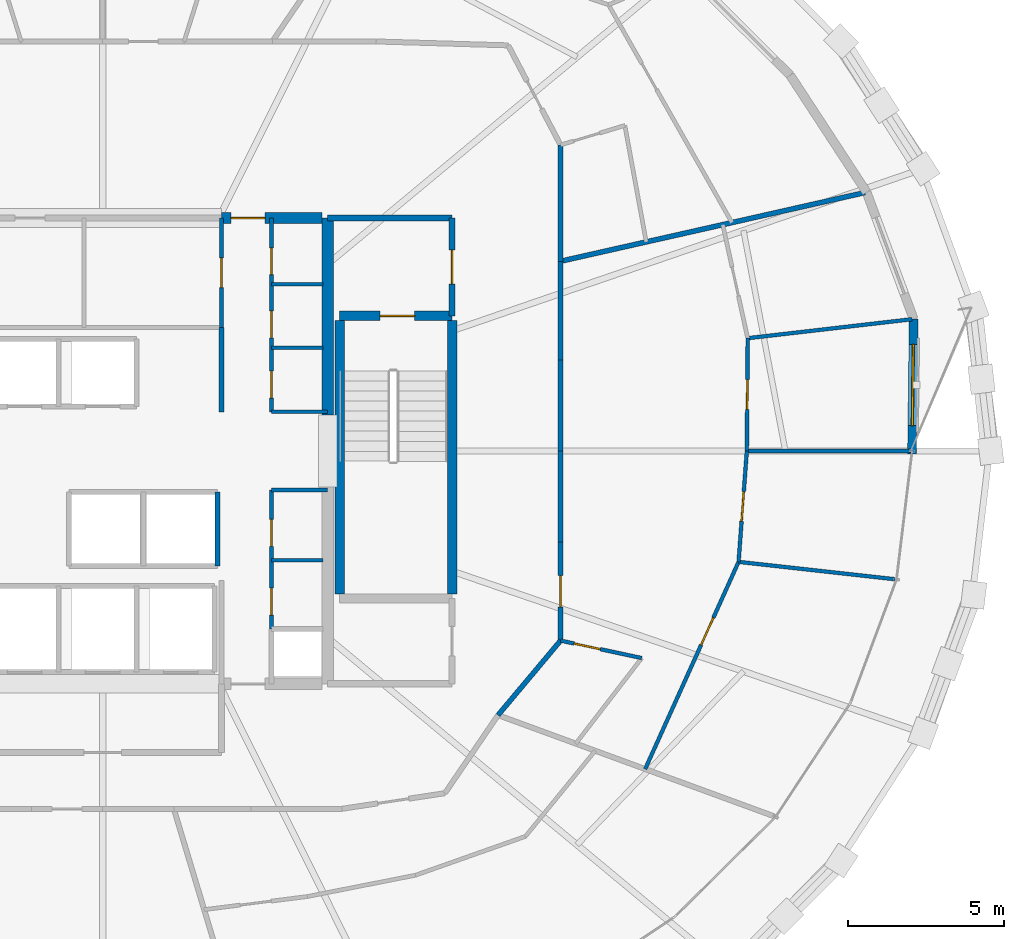
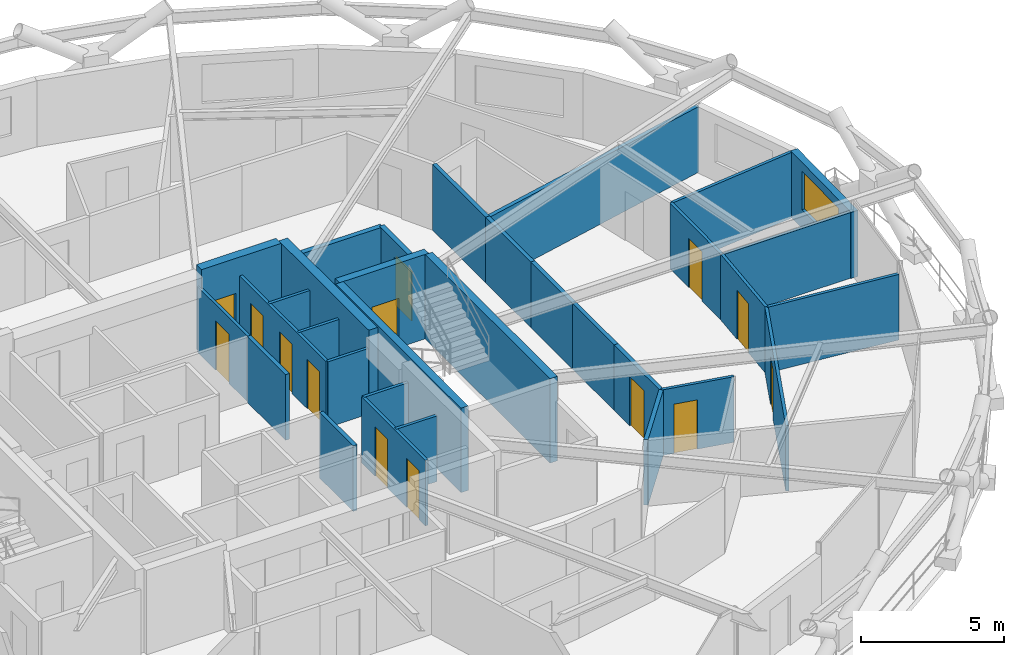
# One storey, part 16 of 21: 32 walls, 14 doors, 1 window, 15 openings.
"""IFC4 building model written with IfcOpenShell, lengths in metres."""

from ifc_helpers import new_model, si_unit, direction, frame, frame_2d, origin, place, context, subcontext, project, spatial, rectangle, extrude, material, layer, layer_set, type_object, element, fill, save


model = new_model("IFC4")

# Units and contexts
model_context = context("Model", 3, precision=1e-05, world=origin(), true_north=direction((0.0, 1.0)))
body_context = subcontext(model_context, "Body", "Model", "MODEL_VIEW")
ifc_project = project(units=[si_unit("LENGTHUNIT", "METRE"), si_unit("AREAUNIT", "SQUARE_METRE"), si_unit("VOLUMEUNIT", "CUBIC_METRE"), si_unit("PLANEANGLEUNIT", "RADIAN"), si_unit("MASSUNIT", "GRAM", prefix="KILO")], contexts=[model_context])

# Site, building, storey
site_placement = place(None, origin())
site = spatial("IfcSite", under=ifc_project, at=site_placement, CompositionType="ELEMENT")
building_placement = place(site_placement, origin())
building = spatial("IfcBuilding", under=site, at=building_placement, Name="Veldorina Hangang Commons", CompositionType="ELEMENT")
storey_placement = place(building_placement, frame((0.0, 0.0, 142.39990234375)))
storey = spatial("IfcBuildingStorey", under=building, at=storey_placement, Name="L36", CompositionType="ELEMENT", Elevation=142.39990234375)

# Wall
ifc_material_1 = material(Name="Concrete C60/75", Category="concrete")
ifc_layer_1 = layer(ifc_material_1, 0.360107421875)
ifc_layer_set_1 = layer_set([ifc_layer_1], Name="Concrete C60/75")
wall_type_1 = type_object("IfcWallType", Name="CW-RC360-C60", PredefinedType="SHEAR", material=ifc_layer_set_1)
wall_1_placement = place(storey_placement, frame((39.199951171875, 25.14990234375, 0.0), z_axis=(0.0, 0.0, 1.0), x_axis=(0.0, 1.0, 0.0)))
element("IfcWall", 1, at=wall_1_placement, inside=storey, type_object=wall_type_1, Name="L36 E north core shear wall", PredefinedType="SHEAR", context=body_context, shape_type="SweptSolid", body=[
    extrude(rectangle(XDim=6.300048828125, YDim=0.360107421875, at=frame_2d((3.14990234375, 0.0))), origin(), (0.0, 0.0, 1.0), 3.60009765625),
])

# Wall, opening, door
wall_2_placement = place(storey_placement, frame((35.800048828125, 31.449951171875, 0.0), z_axis=(0.0, 0.0, 1.0), x_axis=(1.0, 0.0, 0.0)))
wall_2 = element("IfcWall", 2, at=wall_2_placement, inside=storey, type_object=wall_type_1, Name="L36 north-east core shear wall", PredefinedType="SHEAR", context=body_context, shape_type="SweptSolid", body=[
    extrude(rectangle(XDim=3.219970703125, YDim=0.360107421875, at=frame_2d((1.60986328125, 0.0))), origin(), (0.0, 0.0, 1.0), 3.60009765625),
])
opening_1_placement = place(wall_2_placement, frame((0.300048828125, 0.0, 0.0)))
opening_1 = element("IfcOpeningElement", 3, at=opening_1_placement, cuts=wall_2, Name="Opening D-08", PredefinedType="OPENING", context=body_context, shape_type="SweptSolid", body=[
    extrude(rectangle(XDim=1.10009765625, YDim=2.10009765625, at=frame_2d((0.550048828125, 1.050048828125))), frame((0.0, 0.18994140625, 0.0), z_axis=(0.0, -1.0, 0.0), x_axis=(1.0, 0.0, 0.0)), (0.0, 0.0, 1.0), 0.380126953125),
])
ifc_material_2 = material(Name="Steel Fire-Rated Smoke Seal", Category="steel")
door_type_1 = type_object("IfcDoorType", Name="DR-FIRE-1100", OperationType="SINGLE_SWING_RIGHT", PredefinedType="DOOR", material=ifc_material_2)
door_1_placement = place(opening_1_placement, origin())
door_1 = element("IfcDoor", 4, at=door_1_placement, inside=storey, type_object=door_type_1, Name="L36 central lift lobby north corridor door", OperationType="SINGLE_SWING_LEFT", OverallHeight=2.10009765625, OverallWidth=1.10009765625, PredefinedType="DOOR", context=body_context, shape_type="SweptSolid", body=[
    extrude(rectangle(XDim=1.10009765625, YDim=2.10009765625, at=frame_2d((0.550048828125, 1.050048828125))), frame((0.0, 0.02490234375, 0.0), z_axis=(0.0, -1.0, 0.0), x_axis=(1.0, 0.0, 0.0)), (0.0, 0.0, 1.0), 0.050048828125),
])
fill(opening_1, door_1)

# Wall, opening, window
ifc_material_3 = material(Name="Stone Roman Travertine", Category="masonry")
ifc_layer_2 = layer(ifc_material_3, 0.280029296875)
ifc_layer_set_2 = layer_set([ifc_layer_2], Name="Stone Roman Travertine")
wall_type_2 = type_object("IfcWallType", Name="EW-TRAV-280", PredefinedType="STANDARD", material=ifc_layer_set_2)
wall_3_placement = place(storey_placement, frame((57.8935546875, 23.907958984375, 0.0), z_axis=(0.0, 0.0, 1.0), x_axis=(0.012228731111, 0.999925226272, 0.0)))
wall_3 = element("IfcWall", 5, at=wall_3_placement, inside=storey, type_object=wall_type_2, Name="L36 travertine facade wall 00", PredefinedType="STANDARD", context=body_context, shape_type="SweptSolid", body=[
    extrude(rectangle(XDim=4.312255859375, YDim=0.280029296875, at=frame_2d((2.15625, 0.0))), origin(), (0.0, 0.0, 1.0), 2.820068359375),
])
opening_2_placement = place(wall_3_placement, frame((0.902099609375, 0.0, 0.800048828125)))
opening_2 = element("IfcOpeningElement", 6, at=opening_2_placement, cuts=wall_3, Name="Opening W-02", PredefinedType="OPENING", context=body_context, shape_type="SweptSolid", body=[
    extrude(rectangle(XDim=2.60009765625, YDim=1.64990234375, at=frame_2d((1.300048828125, 0.824951171875))), frame((0.0, 0.14990234375, 0.0), z_axis=(0.0, -1.0, 0.0), x_axis=(1.0, 0.0, 0.0)), (0.0, 0.0, 1.0), 0.300048828125),
])
ifc_material_4 = material(Name="Glass Low-E Triple IGU", Category="glass")
window_type = type_object("IfcWindowType", Name="WIN-TWR-2600", PartitioningType="SINGLE_PANEL", PredefinedType="WINDOW", material=ifc_material_4)
window_placement = place(opening_2_placement, origin())
window = element("IfcWindow", 7, at=window_placement, inside=storey, type_object=window_type, Name="L36 facade window 00", OverallHeight=1.64990234375, OverallWidth=2.60009765625, PartitioningType="SINGLE_PANEL", PredefinedType="WINDOW", context=body_context, shape_type="SweptSolid", body=[
    extrude(rectangle(XDim=2.60009765625, YDim=1.64990234375, at=frame_2d((1.300048828125, 0.824951171875))), frame((0.0, 0.030029296875, 0.0), z_axis=(0.0, -1.0, 0.0), x_axis=(1.0, 0.0, 0.0)), (0.0, 0.0, 1.0), 0.06005859375),
])
fill(opening_2, window)

# Walls
ifc_material_5 = material(Name="Concrete C50/60", Category="concrete")
ifc_layer_3 = layer(ifc_material_5, 0.300048828125)
ifc_layer_set_3 = layer_set([ifc_layer_3], Name="Concrete C50/60")
wall_type_3 = type_object("IfcWallType", Name="SW-STAIR-300", PredefinedType="SHEAR", material=ifc_layer_set_3)
for number, where, z_axis, x_axis, name in (
    (8, (43.179931640625, 19.429931640625, 0.0), (0.0, 0.0, 1.0), (0.0, 1.0, 0.0), "L36 ST2 outer stair shear wall"),
    (9, (39.580078125, 19.429931640625, 0.0), (0.0, 0.0, 1.0), (0.0, 1.0, 0.0), "L36 ST2 inner stair shear wall"),
):
    element("IfcWall", number, at=place(storey_placement, frame(where, z_axis=z_axis, x_axis=x_axis)), inside=storey, type_object=wall_type_3, Name=name, PredefinedType="SHEAR", context=body_context, shape_type="SweptSolid", body=[
        extrude(rectangle(XDim=8.739990234375, YDim=0.300048828125, at=frame_2d((4.3701171875, 0.0))), origin(), (0.0, 0.0, 1.0), 3.60009765625),
    ])

# Wall, opening, door
wall_4_placement = place(storey_placement, frame((39.580078125, 28.320068359375, 0.0), z_axis=(0.0, 0.0, 1.0), x_axis=(1.0, 0.0, 0.0)))
wall_4 = element("IfcWall", 10, at=wall_4_placement, inside=storey, type_object=wall_type_3, Name="L36 ST2 north stair shear wall", PredefinedType="SHEAR", context=body_context, shape_type="SweptSolid", body=[
    extrude(rectangle(XDim=3.599853515625, YDim=0.300048828125, at=frame_2d((1.7998046875, 0.0))), origin(), (0.0, 0.0, 1.0), 3.60009765625),
])
opening_3_placement = place(wall_4_placement, frame((1.300048828125, 0.0, 0.0)))
opening_3 = element("IfcOpeningElement", 11, at=opening_3_placement, cuts=wall_4, Name="Opening D-08", PredefinedType="OPENING", context=body_context, shape_type="SweptSolid", body=[
    extrude(rectangle(XDim=1.10009765625, YDim=2.10009765625, at=frame_2d((0.550048828125, 1.050048828125))), frame((0.0, 0.16015625, 0.0), z_axis=(0.0, -1.0, 0.0), x_axis=(1.0, 0.0, 0.0)), (0.0, 0.0, 1.0), 0.320068359375),
])
door_2_placement = place(opening_3_placement, origin())
door_2 = element("IfcDoor", 12, at=door_2_placement, inside=storey, type_object=door_type_1, Name="L36 Special Escape Stair ST-2 door", OperationType="SINGLE_SWING_RIGHT", OverallHeight=2.10009765625, OverallWidth=1.10009765625, PredefinedType="DOOR", context=body_context, shape_type="SweptSolid", body=[
    extrude(rectangle(XDim=1.10009765625, YDim=2.10009765625, at=frame_2d((0.550048828125, 1.050048828125))), frame((0.0, 0.02490234375, 0.0), z_axis=(0.0, -1.0, 0.0), x_axis=(1.0, 0.0, 0.0)), (0.0, 0.0, 1.0), 0.050048828125),
])
fill(opening_3, door_2)

# Walls
ifc_material_6 = material(Name="Gypsum Fire-Rated Twin Stud Wall", Category="gypsum")
ifc_layer_4 = layer(ifc_material_6, 0.159912109375)
ifc_layer_set_4 = layer_set([ifc_layer_4], Name="Gypsum Fire-Rated Twin Stud Wall")
wall_type_4 = type_object("IfcWallType", Name="WL-FIRE-160", PredefinedType="SOLIDWALL", material=ifc_layer_set_4)
wall_5_placement = place(storey_placement, frame((35.800048828125, 25.25, 0.0), z_axis=(0.0, 0.0, 1.0), x_axis=(0.0, 1.0, 0.0)))
element("IfcWall", 13, at=wall_5_placement, inside=storey, type_object=wall_type_4, Name="L36 Lift passage NW lower wall 011", PredefinedType="SOLIDWALL", context=body_context, shape_type="SweptSolid", body=[
    extrude(rectangle(XDim=2.699951171875, YDim=0.159912109375, at=frame_2d((1.35009765625, 0.0))), origin(), (0.0, 0.0, 1.0), 2.800048828125),
])
wall_6_placement = place(storey_placement, frame((35.679931640625, 20.320068359375, 0.0), z_axis=(0.0, 0.0, 1.0), x_axis=(0.0, 1.0, 0.0)))
element("IfcWall", 14, at=wall_6_placement, inside=storey, type_object=wall_type_4, Name="L36 SL-2 east shaft wall 024", PredefinedType="SOLIDWALL", context=body_context, shape_type="SweptSolid", body=[
    extrude(rectangle(XDim=2.35986328125, YDim=0.159912109375, at=frame_2d((1.179931640625, 0.0))), origin(), (0.0, 0.0, 1.0), 2.800048828125),
])
wall_7_placement = place(storey_placement, frame((46.64990234375, 24.0, 0.0), z_axis=(0.0, 0.0, 1.0), x_axis=(0.0, 1.0, 0.0)))
element("IfcWall", 15, at=wall_7_placement, inside=storey, type_object=wall_type_4, Name="L36 U-corridor outer wall 00 050", PredefinedType="SOLIDWALL", context=body_context, shape_type="SweptSolid", body=[
    extrude(rectangle(XDim=2.9140625, YDim=0.159912109375, at=frame_2d((1.45703125, 0.0))), origin(), (0.0, 0.0, 1.0), 2.800048828125),
])
wall_8_placement = place(storey_placement, frame((46.64990234375, 26.9140625, 0.0), z_axis=(0.0, 0.0, 1.0), x_axis=(0.0, 1.0, 0.0)))
element("IfcWall", 16, at=wall_8_placement, inside=storey, type_object=wall_type_4, Name="L36 U-corridor outer wall 01 051", PredefinedType="SOLIDWALL", context=body_context, shape_type="SweptSolid", body=[
    extrude(rectangle(XDim=3.154052734375, YDim=0.159912109375, at=frame_2d((1.5771484375, 0.0))), origin(), (0.0, 0.0, 1.0), 2.800048828125),
])
wall_9_placement = place(storey_placement, frame((46.64990234375, 30.068115234375, 0.0), z_axis=(0.0, 0.0, 1.0), x_axis=(0.0, 1.0, 0.0)))
element("IfcWall", 17, at=wall_9_placement, inside=storey, type_object=wall_type_4, Name="L36 U-corridor outer wall 02 052", PredefinedType="SOLIDWALL", context=body_context, shape_type="SweptSolid", body=[
    extrude(rectangle(XDim=3.720703125, YDim=0.159912109375, at=frame_2d((1.8603515625, 0.0))), origin(), (0.0, 0.0, 1.0), 2.800048828125),
])
wall_10_placement = place(storey_placement, frame((44.64990234375, 15.547607421875, 0.0), z_axis=(0.0, 0.0, 1.0), x_axis=(0.642665742791, 0.76614668507, 0.0)))
element("IfcWall", 18, at=wall_10_placement, inside=storey, type_object=wall_type_4, Name="L36 U-corridor outer wall 29 079", PredefinedType="SOLIDWALL", context=body_context, shape_type="SweptSolid", body=[
    extrude(rectangle(XDim=3.112060546875, YDim=0.159912109375, at=frame_2d((1.55615234375, 0.0))), origin(), (0.0, 0.0, 1.0), 2.800048828125),
])

# Wall, opening, door
wall_11_placement = place(storey_placement, frame((46.64990234375, 17.931884765625, 0.0), z_axis=(0.0, 0.0, 1.0), x_axis=(0.0, 1.0, 0.0)))
wall_11 = element("IfcWall", 19, at=wall_11_placement, inside=storey, type_object=wall_type_4, Name="L36 U-corridor outer wall 30 080", PredefinedType="SOLIDWALL", context=body_context, shape_type="SweptSolid", body=[
    extrude(rectangle(XDim=3.154052734375, YDim=0.159912109375, at=frame_2d((1.5771484375, 0.0))), origin(), (0.0, 0.0, 1.0), 2.800048828125),
])
opening_4_placement = place(wall_11_placement, frame((1.0771484375, 0.0, 0.0)))
opening_4 = element("IfcOpeningElement", 20, at=opening_4_placement, cuts=wall_11, Name="Opening D-06", PredefinedType="OPENING", context=body_context, shape_type="SweptSolid", body=[
    extrude(rectangle(XDim=1.0, YDim=2.10009765625, at=frame_2d((0.5, 1.050048828125))), frame((0.0, 0.08984375, 0.0), z_axis=(0.0, -1.0, 0.0), x_axis=(1.0, 0.0, 0.0)), (0.0, 0.0, 1.0), 0.179931640625),
])
ifc_material_7 = material(Name="Timber Fire-Rated Entrance Core", Category="wood")
door_type_2 = type_object("IfcDoorType", Name="DR-UNIT-1000", OperationType="SINGLE_SWING_LEFT", PredefinedType="DOOR", material=ifc_material_7)
door_3_placement = place(opening_4_placement, origin())
door_3 = element("IfcDoor", 21, at=door_3_placement, inside=storey, type_object=door_type_2, Name="L36 Cluster 2 entrance door 025", OperationType="SINGLE_SWING_LEFT", OverallHeight=2.10009765625, OverallWidth=1.0, PredefinedType="DOOR", context=body_context, shape_type="SweptSolid", body=[
    extrude(rectangle(XDim=1.0, YDim=2.10009765625, at=frame_2d((0.5, 1.050048828125))), frame((0.0, 0.02490234375, 0.0), z_axis=(0.0, -1.0, 0.0), x_axis=(1.0, 0.0, 0.0)), (0.0, 0.0, 1.0), 0.050048828125),
])
fill(opening_4, door_3)

# Walls
wall_12_placement = place(storey_placement, frame((46.64990234375, 21.0859375, 0.0), z_axis=(0.0, 0.0, 1.0), x_axis=(0.0, 1.0, 0.0)))
element("IfcWall", 22, at=wall_12_placement, inside=storey, type_object=wall_type_4, Name="L36 U-corridor outer wall 31 081", PredefinedType="SOLIDWALL", context=body_context, shape_type="SweptSolid", body=[
    extrude(rectangle(XDim=2.9140625, YDim=0.159912109375, at=frame_2d((1.45703125, 0.0))), origin(), (0.0, 0.0, 1.0), 2.800048828125),
])
wall_13_placement = place(storey_placement, frame((46.64990234375, 30.068115234375, 0.0), z_axis=(0.0, 0.0, 1.0), x_axis=(0.97547030374, 0.220131066689, 0.0)))
element("IfcWall", 23, at=wall_13_placement, inside=storey, type_object=wall_type_4, Name="L36 Unit party wall 02 097", PredefinedType="SOLIDWALL", context=body_context, shape_type="SweptSolid", body=[
    extrude(rectangle(XDim=9.987060546875, YDim=0.159912109375, at=frame_2d((4.99365234375, 0.0))), origin(), (0.0, 0.0, 1.0), 2.800048828125),
])

# Wall, opening, door
ifc_material_8 = material(Name="Concrete Blockwork Fire Wall C30/37", Category="masonry")
ifc_layer_5 = layer(ifc_material_8, 0.199951171875)
ifc_layer_set_5 = layer_set([ifc_layer_5], Name="Concrete Blockwork Fire Wall C30/37")
wall_type_5 = type_object("IfcWallType", Name="WL-FIRE-200", PredefinedType="SOLIDWALL", material=ifc_layer_set_5)
wall_14_placement = place(storey_placement, frame((43.179931640625, 28.320068359375, 0.0), z_axis=(0.0, 0.0, 1.0), x_axis=(0.0, 1.0, 0.0)))
wall_14 = element("IfcWall", 24, at=wall_14_placement, inside=storey, type_object=wall_type_5, Name="L36 East vestibule outer wall 003", PredefinedType="SOLIDWALL", context=body_context, shape_type="SweptSolid", body=[
    extrude(rectangle(XDim=3.1298828125, YDim=0.199951171875, at=frame_2d((1.56494140625, 0.0))), origin(), (0.0, 0.0, 1.0), 2.800048828125),
])
opening_5_placement = place(wall_14_placement, frame((1.014892578125, 0.0, 0.0)))
opening_5 = element("IfcOpeningElement", 25, at=opening_5_placement, cuts=wall_14, Name="Opening D-08", PredefinedType="OPENING", context=body_context, shape_type="SweptSolid", body=[
    extrude(rectangle(XDim=1.10009765625, YDim=2.10009765625, at=frame_2d((0.550048828125, 1.050048828125))), frame((0.0, 0.10986328125, 0.0), z_axis=(0.0, -1.0, 0.0), x_axis=(1.0, 0.0, 0.0)), (0.0, 0.0, 1.0), 0.219970703125),
])
door_4_placement = place(opening_5_placement, origin())
door_4 = element("IfcDoor", 26, at=door_4_placement, inside=storey, type_object=door_type_1, Name="L36 East vestibule east door 002", OperationType="SINGLE_SWING_RIGHT", OverallHeight=2.10009765625, OverallWidth=1.10009765625, PredefinedType="DOOR", context=body_context, shape_type="SweptSolid", body=[
    extrude(rectangle(XDim=1.10009765625, YDim=2.10009765625, at=frame_2d((0.550048828125, 1.050048828125))), frame((0.0, 0.02490234375, 0.0), z_axis=(0.0, -1.0, 0.0), x_axis=(1.0, 0.0, 0.0)), (0.0, 0.0, 1.0), 0.050048828125),
])
fill(opening_5, door_4)

# Wall
wall_15_placement = place(storey_placement, frame((39.199951171875, 31.449951171875, 0.0), z_axis=(0.0, 0.0, 1.0), x_axis=(1.0, 0.0, 0.0)))
element("IfcWall", 27, at=wall_15_placement, inside=storey, type_object=wall_type_5, Name="L36 East vestibule north wall 004", PredefinedType="SOLIDWALL", context=body_context, shape_type="SweptSolid", body=[
    extrude(rectangle(XDim=3.97998046875, YDim=0.199951171875, at=frame_2d((1.989990234375, 0.0))), origin(), (0.0, 0.0, 1.0), 2.800048828125),
])

# Wall, opening, door
ifc_material_9 = material(Name="Gypsum Acoustic Stud Partition", Category="gypsum")
ifc_layer_6 = layer(ifc_material_9, 0.1201171875)
ifc_layer_set_6 = layer_set([ifc_layer_6], Name="Gypsum Acoustic Stud Partition")
wall_type_6 = type_object("IfcWallType", Name="WL-PART-120", PredefinedType="PARTITIONING", material=ifc_layer_set_6)
wall_16_placement = place(storey_placement, frame((35.800048828125, 27.949951171875, 0.0), z_axis=(0.0, 0.0, 1.0), x_axis=(0.0, 1.0, 0.0)))
wall_16 = element("IfcWall", 28, at=wall_16_placement, inside=storey, type_object=wall_type_6, Name="L36 Merged north east wall 033", PredefinedType="PARTITIONING", context=body_context, shape_type="SweptSolid", body=[
    extrude(rectangle(XDim=3.5, YDim=0.1201171875, at=frame_2d((1.75, 0.0))), origin(), (0.0, 0.0, 1.0), 2.800048828125),
])
opening_6_placement = place(wall_16_placement, frame((1.27490234375, 0.0, 0.0)))
opening_6 = element("IfcOpeningElement", 29, at=opening_6_placement, cuts=wall_16, Name="Opening D-02", PredefinedType="OPENING", context=body_context, shape_type="SweptSolid", body=[
    extrude(rectangle(XDim=0.949951171875, YDim=2.10009765625, at=frame_2d((0.47509765625, 1.050048828125))), frame((0.0, 0.070068359375, 0.0), z_axis=(0.0, -1.0, 0.0), x_axis=(1.0, 0.0, 0.0)), (0.0, 0.0, 1.0), 0.14013671875),
])
ifc_material_10 = material(Name="Timber Solid Core Acoustic", Category="wood")
door_type_3 = type_object("IfcDoorType", Name="DR-INT-950", OperationType="SINGLE_SWING_LEFT", PredefinedType="DOOR", material=ifc_material_10)
door_5_placement = place(opening_6_placement, origin())
door_5 = element("IfcDoor", 30, at=door_5_placement, inside=storey, type_object=door_type_3, Name="L36 Core linen store door 012", OperationType="SINGLE_SWING_RIGHT", OverallHeight=2.10009765625, OverallWidth=0.949951171875, PredefinedType="DOOR", context=body_context, shape_type="SweptSolid", body=[
    extrude(rectangle(XDim=0.949951171875, YDim=2.10009765625, at=frame_2d((0.47509765625, 1.050048828125))), frame((0.0, 0.02490234375, 0.0), z_axis=(0.0, -1.0, 0.0), x_axis=(1.0, 0.0, 0.0)), (0.0, 0.0, 1.0), 0.050048828125),
])
fill(opening_6, door_5)

# Wall, openings, doors
wall_17_placement = place(storey_placement, frame((37.39990234375, 25.25, 0.0), z_axis=(0.0, 0.0, 1.0), x_axis=(0.0, 1.0, 0.0)))
wall_17 = element("IfcWall", 31, at=wall_17_placement, inside=storey, type_object=wall_type_6, Name="L36 NE strip lobby wall 041", PredefinedType="PARTITIONING", context=body_context, shape_type="SweptSolid", body=[
    extrude(rectangle(XDim=6.199951171875, YDim=0.1201171875, at=frame_2d((3.10009765625, 0.0))), origin(), (0.0, 0.0, 1.0), 2.800048828125),
])
opening_7_placement = place(wall_17_placement, frame((0.43994140625, 0.0, 0.0)))
opening_7 = element("IfcOpeningElement", 32, at=opening_7_placement, cuts=wall_17, Name="Opening D-01", PredefinedType="OPENING", context=body_context, shape_type="SweptSolid", body=[
    extrude(rectangle(XDim=0.860107421875, YDim=2.10009765625, at=frame_2d((0.43017578125, 1.050048828125))), frame((0.0, 0.070068359375, 0.0), z_axis=(0.0, -1.0, 0.0), x_axis=(1.0, 0.0, 0.0)), (0.0, 0.0, 1.0), 0.14013671875),
])
opening_8_placement = place(wall_17_placement, frame((2.3701171875, 0.0, 0.0)))
opening_8 = element("IfcOpeningElement", 33, at=opening_8_placement, cuts=wall_17, Name="Opening D-01", PredefinedType="OPENING", context=body_context, shape_type="SweptSolid", body=[
    extrude(rectangle(XDim=0.860107421875, YDim=2.10009765625, at=frame_2d((0.43017578125, 1.050048828125))), frame((0.0, 0.070068359375, 0.0), z_axis=(0.0, -1.0, 0.0), x_axis=(1.0, 0.0, 0.0)), (0.0, 0.0, 1.0), 0.14013671875),
])
opening_9_placement = place(wall_17_placement, frame((4.389892578125, 0.0, 0.0)))
opening_9 = element("IfcOpeningElement", 34, at=opening_9_placement, cuts=wall_17, Name="Opening D-01", PredefinedType="OPENING", context=body_context, shape_type="SweptSolid", body=[
    extrude(rectangle(XDim=0.860107421875, YDim=2.10009765625, at=frame_2d((0.43017578125, 1.050048828125))), frame((0.0, 0.070068359375, 0.0), z_axis=(0.0, -1.0, 0.0), x_axis=(1.0, 0.0, 0.0)), (0.0, 0.0, 1.0), 0.14013671875),
])
ifc_material_11 = material(Name="Timber Moisture-Resistant Core", Category="wood")
door_type_4 = type_object("IfcDoorType", Name="DR-WET-860", OperationType="SINGLE_SWING_LEFT", PredefinedType="DOOR", material=ifc_material_11)
door_6_placement = place(opening_7_placement, origin())
door_6 = element("IfcDoor", 35, at=door_6_placement, inside=storey, type_object=door_type_4, Name="L36 Fiber Riser Closet door 017", OperationType="SINGLE_SWING_LEFT", OverallHeight=2.10009765625, OverallWidth=0.860107421875, PredefinedType="DOOR", context=body_context, shape_type="SweptSolid", body=[
    extrude(rectangle(XDim=0.860107421875, YDim=2.10009765625, at=frame_2d((0.43017578125, 1.050048828125))), frame((0.0, 0.02490234375, 0.0), z_axis=(0.0, -1.0, 0.0), x_axis=(1.0, 0.0, 0.0)), (0.0, 0.0, 1.0), 0.050048828125),
])
fill(opening_7, door_6)
door_7_placement = place(opening_8_placement, origin())
door_7 = element("IfcDoor", 36, at=door_7_placement, inside=storey, type_object=door_type_4, Name="L36 AV Rack Closet door 018", OperationType="SINGLE_SWING_RIGHT", OverallHeight=2.10009765625, OverallWidth=0.860107421875, PredefinedType="DOOR", context=body_context, shape_type="SweptSolid", body=[
    extrude(rectangle(XDim=0.860107421875, YDim=2.10009765625, at=frame_2d((0.43017578125, 1.050048828125))), frame((0.0, 0.02490234375, 0.0), z_axis=(0.0, -1.0, 0.0), x_axis=(1.0, 0.0, 0.0)), (0.0, 0.0, 1.0), 0.050048828125),
])
fill(opening_8, door_7)
door_8_placement = place(opening_9_placement, origin())
door_8 = element("IfcDoor", 37, at=door_8_placement, inside=storey, type_object=door_type_4, Name="L36 Supply Closet door 019", OperationType="SINGLE_SWING_LEFT", OverallHeight=2.10009765625, OverallWidth=0.860107421875, PredefinedType="DOOR", context=body_context, shape_type="SweptSolid", body=[
    extrude(rectangle(XDim=0.860107421875, YDim=2.10009765625, at=frame_2d((0.43017578125, 1.050048828125))), frame((0.0, 0.02490234375, 0.0), z_axis=(0.0, -1.0, 0.0), x_axis=(1.0, 0.0, 0.0)), (0.0, 0.0, 1.0), 0.050048828125),
])
fill(opening_9, door_8)

# Wall
wall_18_placement = place(storey_placement, frame((37.39990234375, 25.25, 0.0), z_axis=(0.0, 0.0, 1.0), x_axis=(1.0, 0.0, 0.0)))
element("IfcWall", 38, at=wall_18_placement, inside=storey, type_object=wall_type_6, Name="L36 NE strip south return wall 042", PredefinedType="PARTITIONING", context=body_context, shape_type="SweptSolid", body=[
    extrude(rectangle(XDim=1.800048828125, YDim=0.1201171875, at=frame_2d((0.89990234375, 0.0))), origin(), (0.0, 0.0, 1.0), 2.800048828125),
])

# Wall, openings, doors
wall_19_placement = place(storey_placement, frame((37.39990234375, 18.300048828125, 0.0), z_axis=(0.0, 0.0, 1.0), x_axis=(0.0, 1.0, 0.0)))
wall_19 = element("IfcWall", 39, at=wall_19_placement, inside=storey, type_object=wall_type_6, Name="L36 SE strip lobby wall 043", PredefinedType="PARTITIONING", context=body_context, shape_type="SweptSolid", body=[
    extrude(rectangle(XDim=4.449951171875, YDim=0.1201171875, at=frame_2d((2.22509765625, 0.0))), origin(), (0.0, 0.0, 1.0), 2.800048828125),
])
opening_10_placement = place(wall_19_placement, frame((0.449951171875, 0.0, 0.0)))
opening_10 = element("IfcOpeningElement", 40, at=opening_10_placement, cuts=wall_19, Name="Opening D-01", PredefinedType="OPENING", context=body_context, shape_type="SweptSolid", body=[
    extrude(rectangle(XDim=0.860107421875, YDim=2.10009765625, at=frame_2d((0.43017578125, 1.050048828125))), frame((0.0, 0.070068359375, 0.0), z_axis=(0.0, -1.0, 0.0), x_axis=(1.0, 0.0, 0.0)), (0.0, 0.0, 1.0), 0.14013671875),
])
opening_11_placement = place(wall_19_placement, frame((2.64990234375, 0.0, 0.0)))
opening_11 = element("IfcOpeningElement", 41, at=opening_11_placement, cuts=wall_19, Name="Opening D-01", PredefinedType="OPENING", context=body_context, shape_type="SweptSolid", body=[
    extrude(rectangle(XDim=0.860107421875, YDim=2.10009765625, at=frame_2d((0.43017578125, 1.050048828125))), frame((0.0, 0.070068359375, 0.0), z_axis=(0.0, -1.0, 0.0), x_axis=(1.0, 0.0, 0.0)), (0.0, 0.0, 1.0), 0.14013671875),
])
door_9_placement = place(opening_10_placement, origin())
door_9 = element("IfcDoor", 42, at=door_9_placement, inside=storey, type_object=door_type_4, Name="L36 Janitor sink door 020", OperationType="SINGLE_SWING_RIGHT", OverallHeight=2.10009765625, OverallWidth=0.860107421875, PredefinedType="DOOR", context=body_context, shape_type="SweptSolid", body=[
    extrude(rectangle(XDim=0.860107421875, YDim=2.10009765625, at=frame_2d((0.43017578125, 1.050048828125))), frame((0.0, 0.02490234375, 0.0), z_axis=(0.0, -1.0, 0.0), x_axis=(1.0, 0.0, 0.0)), (0.0, 0.0, 1.0), 0.050048828125),
])
fill(opening_10, door_9)
door_10_placement = place(opening_11_placement, origin())
door_10 = element("IfcDoor", 43, at=door_10_placement, inside=storey, type_object=door_type_4, Name="L36 Fire panel door 021", OperationType="SINGLE_SWING_LEFT", OverallHeight=2.10009765625, OverallWidth=0.860107421875, PredefinedType="DOOR", context=body_context, shape_type="SweptSolid", body=[
    extrude(rectangle(XDim=0.860107421875, YDim=2.10009765625, at=frame_2d((0.43017578125, 1.050048828125))), frame((0.0, 0.02490234375, 0.0), z_axis=(0.0, -1.0, 0.0), x_axis=(1.0, 0.0, 0.0)), (0.0, 0.0, 1.0), 0.050048828125),
])
fill(opening_11, door_10)

# Walls
wall_20_placement = place(storey_placement, frame((37.39990234375, 22.75, 0.0), z_axis=(0.0, 0.0, 1.0), x_axis=(1.0, 0.0, 0.0)))
element("IfcWall", 44, at=wall_20_placement, inside=storey, type_object=wall_type_6, Name="L36 SE strip north return wall 044", PredefinedType="PARTITIONING", context=body_context, shape_type="SweptSolid", body=[
    extrude(rectangle(XDim=1.800048828125, YDim=0.1201171875, at=frame_2d((0.89990234375, 0.0))), origin(), (0.0, 0.0, 1.0), 2.800048828125),
])
for number, where, z_axis, x_axis, name in (
    (45, (37.39990234375, 27.300048828125, 0.0), (0.0, 0.0, 1.0), (1.0, 0.0, 0.0), "L36 NE split 1 047"),
    (46, (37.39990234375, 29.330078125, 0.0), (0.0, 0.0, 1.0), (1.0, 0.0, 0.0), "L36 NE split 2 048"),
    (47, (37.39990234375, 20.5, 0.0), (0.0, 0.0, 1.0), (1.0, 0.0, 0.0), "L36 SE horizontal split 049"),
):
    element("IfcWall", number, at=place(storey_placement, frame(where, z_axis=z_axis, x_axis=x_axis)), inside=storey, type_object=wall_type_6, Name=name, PredefinedType="PARTITIONING", context=body_context, shape_type="SweptSolid", body=[
        extrude(rectangle(XDim=1.650146484375, YDim=0.1201171875, at=frame_2d((0.8251953125, 0.0))), origin(), (0.0, 0.0, 1.0), 2.800048828125),
    ])

# Wall, opening, door
wall_21_placement = place(storey_placement, frame((46.64990234375, 17.931884765625, 0.0), z_axis=(0.0, 0.0, 1.0), x_axis=(0.977635307492, -0.210307407253, 0.0)))
wall_21 = element("IfcWall", 48, at=wall_21_placement, inside=storey, type_object=wall_type_6, Name="L36 Cluster 2 bath side wall 089", PredefinedType="PARTITIONING", context=body_context, shape_type="SweptSolid", body=[
    extrude(rectangle(XDim=2.656005859375, YDim=0.1201171875, at=frame_2d((1.328125, 0.0))), origin(), (0.0, 0.0, 1.0), 2.800048828125),
])
opening_12_placement = place(wall_21_placement, frame((0.43994140625, 0.0, 0.0)))
opening_12 = element("IfcOpeningElement", 49, at=opening_12_placement, cuts=wall_21, Name="Opening D-01", PredefinedType="OPENING", context=body_context, shape_type="SweptSolid", body=[
    extrude(rectangle(XDim=0.860107421875, YDim=2.10009765625, at=frame_2d((0.43017578125, 1.050048828125))), frame((0.0, 0.070068359375, 0.0), z_axis=(0.0, -1.0, 0.0), x_axis=(1.0, 0.0, 0.0)), (0.0, 0.0, 1.0), 0.14013671875),
])
door_11_placement = place(opening_12_placement, origin())
door_11 = element("IfcDoor", 50, at=door_11_placement, inside=storey, type_object=door_type_4, Name="L36 Cluster 2 shared bathroom door 024", OperationType="SINGLE_SWING_RIGHT", OverallHeight=2.10009765625, OverallWidth=0.860107421875, PredefinedType="DOOR", context=body_context, shape_type="SweptSolid", body=[
    extrude(rectangle(XDim=0.860107421875, YDim=2.10009765625, at=frame_2d((0.43017578125, 1.050048828125))), frame((0.0, 0.02490234375, 0.0), z_axis=(0.0, -1.0, 0.0), x_axis=(1.0, 0.0, 0.0)), (0.0, 0.0, 1.0), 0.050048828125),
])
fill(opening_12, door_11)

wall_22_placement = place(storey_placement, frame((49.356689453125, 13.822998046875, 0.0), z_axis=(0.0, 0.0, 1.0), x_axis=(0.411079306234, 0.911599585337, 0.0)))
wall_22 = element("IfcWall", 51, at=wall_22_placement, inside=storey, type_object=wall_type_6, Name="L36 Cluster 2 bed 1 front wall 090", PredefinedType="PARTITIONING", context=body_context, shape_type="SweptSolid", body=[
    extrude(rectangle(XDim=7.271728515625, YDim=0.1201171875, at=frame_2d((3.6357421875, 0.0))), origin(), (0.0, 0.0, 1.0), 2.800048828125),
])
opening_13_placement = place(wall_22_placement, frame((4.35791015625, 0.0, 0.0)))
opening_13 = element("IfcOpeningElement", 52, at=opening_13_placement, cuts=wall_22, Name="Opening D-02", PredefinedType="OPENING", context=body_context, shape_type="SweptSolid", body=[
    extrude(rectangle(XDim=0.949951171875, YDim=2.10009765625, at=frame_2d((0.47509765625, 1.050048828125))), frame((0.0, 0.070068359375, 0.0), z_axis=(0.0, -1.0, 0.0), x_axis=(1.0, 0.0, 0.0)), (0.0, 0.0, 1.0), 0.14013671875),
])
door_12_placement = place(opening_13_placement, origin())
door_12 = element("IfcDoor", 53, at=door_12_placement, inside=storey, type_object=door_type_3, Name="L36 Cluster 2 bed 1 door 026", OperationType="SINGLE_SWING_RIGHT", OverallHeight=2.10009765625, OverallWidth=0.949951171875, PredefinedType="DOOR", context=body_context, shape_type="SweptSolid", body=[
    extrude(rectangle(XDim=0.949951171875, YDim=2.10009765625, at=frame_2d((0.47509765625, 1.050048828125))), frame((0.0, 0.02490234375, 0.0), z_axis=(0.0, -1.0, 0.0), x_axis=(1.0, 0.0, 0.0)), (0.0, 0.0, 1.0), 0.050048828125),
])
fill(opening_13, door_12)

wall_23_placement = place(storey_placement, frame((52.345947265625, 20.451904296875, 0.0), z_axis=(0.0, 0.0, 1.0), x_axis=(0.074109277966, 0.997250126558, 0.0)))
wall_23 = element("IfcWall", 54, at=wall_23_placement, inside=storey, type_object=wall_type_6, Name="L36 Cluster 2 bed 2 front wall 091", PredefinedType="PARTITIONING", context=body_context, shape_type="SweptSolid", body=[
    extrude(rectangle(XDim=3.557861328125, YDim=0.1201171875, at=frame_2d((1.77880859375, 0.0))), origin(), (0.0, 0.0, 1.0), 2.800048828125),
])
opening_14_placement = place(wall_23_placement, frame((1.303955078125, 0.0, 0.0)))
opening_14 = element("IfcOpeningElement", 55, at=opening_14_placement, cuts=wall_23, Name="Opening D-02", PredefinedType="OPENING", context=body_context, shape_type="SweptSolid", body=[
    extrude(rectangle(XDim=0.949951171875, YDim=2.10009765625, at=frame_2d((0.47509765625, 1.050048828125))), frame((0.0, 0.070068359375, 0.0), z_axis=(0.0, -1.0, 0.0), x_axis=(1.0, 0.0, 0.0)), (0.0, 0.0, 1.0), 0.14013671875),
])
door_13_placement = place(opening_14_placement, origin())
door_13 = element("IfcDoor", 56, at=door_13_placement, inside=storey, type_object=door_type_3, Name="L36 Cluster 2 bed 2 door 027", OperationType="SINGLE_SWING_LEFT", OverallHeight=2.10009765625, OverallWidth=0.949951171875, PredefinedType="DOOR", context=body_context, shape_type="SweptSolid", body=[
    extrude(rectangle(XDim=0.949951171875, YDim=2.10009765625, at=frame_2d((0.47509765625, 1.050048828125))), frame((0.0, 0.02490234375, 0.0), z_axis=(0.0, -1.0, 0.0), x_axis=(1.0, 0.0, 0.0)), (0.0, 0.0, 1.0), 0.050048828125),
])
fill(opening_14, door_13)

# Wall
wall_24_placement = place(storey_placement, frame((52.345947265625, 20.451904296875, 0.0), z_axis=(0.0, 0.0, 1.0), x_axis=(0.99385826802, -0.110660485666, 0.0)))
element("IfcWall", 57, at=wall_24_placement, inside=storey, type_object=wall_type_6, Name="L36 Cluster 2 bed divider 1 092", PredefinedType="PARTITIONING", context=body_context, shape_type="SweptSolid", body=[
    extrude(rectangle(XDim=5.032470703125, YDim=0.1201171875, at=frame_2d((2.51611328125, 0.0))), origin(), (0.0, 0.0, 1.0), 2.800048828125),
])

# Wall, opening, door
wall_25_placement = place(storey_placement, frame((52.609619140625, 24.0, 0.0), z_axis=(0.0, 0.0, 1.0), x_axis=(0.007582207063, 0.999971254655, 0.0)))
wall_25 = element("IfcWall", 58, at=wall_25_placement, inside=storey, type_object=wall_type_6, Name="L36 Cluster 2 bed 3 front wall 093", PredefinedType="PARTITIONING", context=body_context, shape_type="SweptSolid", body=[
    extrude(rectangle(XDim=3.606201171875, YDim=0.1201171875, at=frame_2d((1.80322265625, 0.0))), origin(), (0.0, 0.0, 1.0), 2.800048828125),
])
opening_15_placement = place(wall_25_placement, frame((1.328125, 0.0, 0.0)))
opening_15 = element("IfcOpeningElement", 59, at=opening_15_placement, cuts=wall_25, Name="Opening D-02", PredefinedType="OPENING", context=body_context, shape_type="SweptSolid", body=[
    extrude(rectangle(XDim=0.949951171875, YDim=2.10009765625, at=frame_2d((0.47509765625, 1.050048828125))), frame((0.0, 0.070068359375, 0.0), z_axis=(0.0, -1.0, 0.0), x_axis=(1.0, 0.0, 0.0)), (0.0, 0.0, 1.0), 0.14013671875),
])
door_14_placement = place(opening_15_placement, origin())
door_14 = element("IfcDoor", 60, at=door_14_placement, inside=storey, type_object=door_type_3, Name="L36 Cluster 2 bed 3 door 028", OperationType="SINGLE_SWING_RIGHT", OverallHeight=2.10009765625, OverallWidth=0.949951171875, PredefinedType="DOOR", context=body_context, shape_type="SweptSolid", body=[
    extrude(rectangle(XDim=0.949951171875, YDim=2.10009765625, at=frame_2d((0.47509765625, 1.050048828125))), frame((0.0, 0.02490234375, 0.0), z_axis=(0.0, -1.0, 0.0), x_axis=(1.0, 0.0, 0.0)), (0.0, 0.0, 1.0), 0.050048828125),
])
fill(opening_15, door_14)

# Walls
wall_26_placement = place(storey_placement, frame((52.609619140625, 24.0, 0.0), z_axis=(0.0, 0.0, 1.0), x_axis=(1.0, 0.0, 0.0)))
element("IfcWall", 61, at=wall_26_placement, inside=storey, type_object=wall_type_6, Name="L36 Cluster 2 bed divider 2 094", PredefinedType="PARTITIONING", context=body_context, shape_type="SweptSolid", body=[
    extrude(rectangle(XDim=5.23486328125, YDim=0.1201171875, at=frame_2d((2.617431640625, 0.0))), origin(), (0.0, 0.0, 1.0), 2.800048828125),
])
wall_27_placement = place(storey_placement, frame((52.636962890625, 27.606201171875, 0.0), z_axis=(0.0, 0.0, 1.0), x_axis=(0.993386500481, 0.1148183812, 0.0)))
element("IfcWall", 62, at=wall_27_placement, inside=storey, type_object=wall_type_6, Name="L36 Cluster 2 bed divider 3 096", PredefinedType="PARTITIONING", context=body_context, shape_type="SweptSolid", body=[
    extrude(rectangle(XDim=5.29443359375, YDim=0.1201171875, at=frame_2d((2.647216796875, 0.0))), origin(), (0.0, 0.0, 1.0), 2.800048828125),
])

save(model, "model.ifc")
